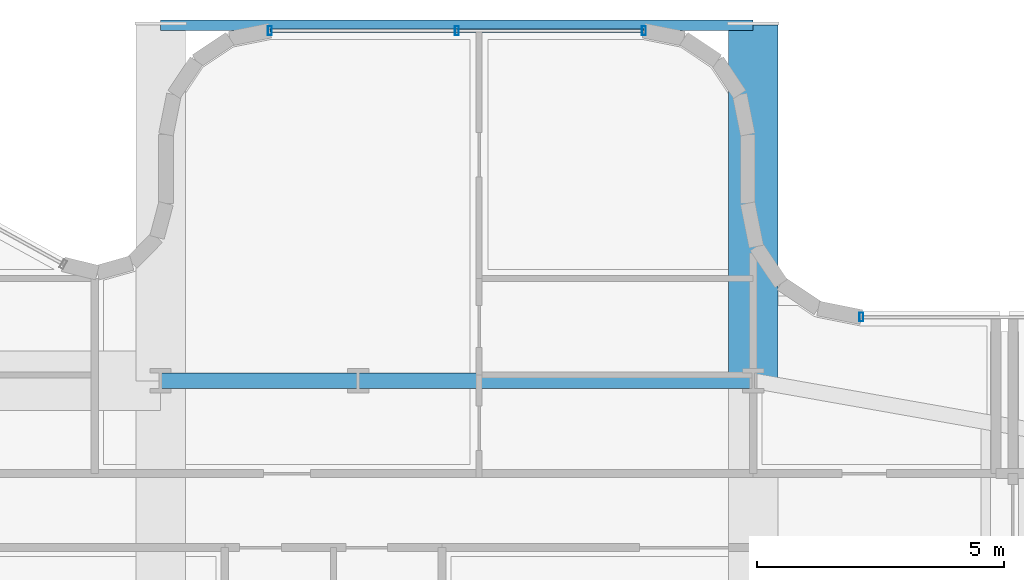
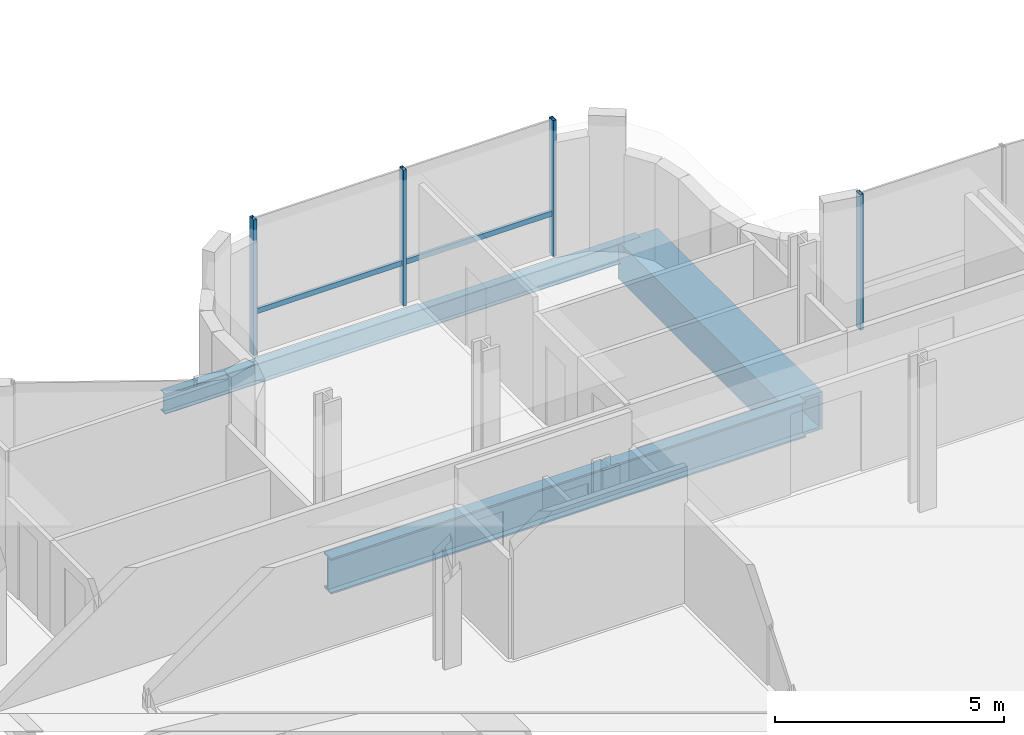
# One storey, part 21 of 38: 5 members, 3 beams, 2 elements without a shape of their own.
"""IFC4 building model written with IfcOpenShell, lengths in metres."""

from ifc_helpers import new_model, si_unit, direction, frame, origin, origin_2d, place, context, subcontext, project, spatial, hollow_rectangle, i_section, extrude, source, transform, mapped, material, material_profile, profile_set, type_object, element, aggregate, save


model = new_model("IFC4")

# Units and contexts
model_context = context("Model", 3, precision=1e-05, world=origin(), true_north=direction((0.0, 1.0)))
body_context = subcontext(model_context, "Body", "Model", "MODEL_VIEW")
ifc_project = project(units=[si_unit("LENGTHUNIT", "METRE"), si_unit("AREAUNIT", "SQUARE_METRE"), si_unit("VOLUMEUNIT", "CUBIC_METRE"), si_unit("PLANEANGLEUNIT", "RADIAN"), si_unit("MASSUNIT", "GRAM", prefix="KILO")], contexts=[model_context])

# Site, building, storey
site_placement = place(None, origin())
site = spatial("IfcSite", under=ifc_project, at=site_placement, CompositionType="ELEMENT")
building_placement = place(site_placement, origin())
building = spatial("IfcBuilding", under=site, at=building_placement, Name="Valdorenza Pilgrim Sanctuary Tower", CompositionType="ELEMENT")
storey_placement = place(building_placement, frame((0.0, 0.0, 180.5)))
storey = spatial("IfcBuildingStorey", under=building, at=storey_placement, Name="L46", CompositionType="ELEMENT", Elevation=180.5)

# Beams
ifc_material_1 = material(Name="Steel ASTM A572 Grade 42", Category="steel")
ifc_material_profile_1 = material_profile(ifc_material_1, hollow_rectangle(XDim=1.0, YDim=1.0, WallThickness=0.080078125, at=origin_2d()), Name="BOX 1000x1000x80")
ifc_profile_set_1 = profile_set([ifc_material_profile_1], Name="Steel ASTM A572 Grade 42")
beam_type_1 = type_object("IfcBeamType", Name="STR-BM-PROW-CANT", PredefinedType="BEAM", material=ifc_profile_set_1)
shared_shape_1 = source(origin(), body_context, "Body", "SweptSolid", [
    extrude(hollow_rectangle(XDim=1.0, YDim=1.0, WallThickness=0.080078125, at=origin_2d()), origin(), (0.0, 0.0, 1.0), 7.199951171875),
])
beam_1_placement = place(storey_placement, frame((8.5, 14.800048828125, -0.820068359375), z_axis=(0.0, 1.0, 0.0), x_axis=(-1.0, 0.0, 0.0)))
element("IfcBeam", 1, at=beam_1_placement, inside=storey, type_object=beam_type_1, Name="L46 North Sanctuary Prow Cantilever PROW-CANT-N-E", PredefinedType="BEAM", context=body_context, shape_type="MappedRepresentation", body=[
    mapped(shared_shape_1, transform((0.0, 0.0, 0.0), x_axis=(1.0, 0.0, 0.0), y_axis=(0.0, 1.0, 0.0), z_axis=(0.0, 0.0, 1.0), scale=1.0)),
])
ifc_material_2 = material(Name="Steel ASTM A992 Grade 50", Category="steel")
ifc_material_profile_2 = material_profile(ifc_material_2, i_section(OverallWidth=0.2109375, OverallDepth=0.5390625, WebThickness=0.01171875, FlangeThickness=0.018798828125, at=origin_2d()), Name="W21X73")
ifc_profile_set_2 = profile_set([ifc_material_profile_2], Name="Steel ASTM A992 Grade 50")
beam_type_2 = type_object("IfcBeamType", Name="STR-BM-SPN-W21B", PredefinedType="SPANDREL", material=ifc_profile_set_2)
shared_shape_2 = source(origin(), body_context, "Body", "SweptSolid", [
    extrude(i_section(OverallWidth=0.2109375, OverallDepth=0.5390625, WebThickness=0.01171875, FlangeThickness=0.018798828125, at=origin_2d()), origin(), (0.0, 0.0, 1.0), 12.0),
])
beam_2_placement = place(storey_placement, frame((-3.5, 22.0, -0.589599609375), z_axis=(1.0, 0.0, 0.0), x_axis=(0.0, 1.0, 0.0)))
element("IfcBeam", 2, at=beam_2_placement, inside=storey, type_object=beam_type_2, Name="L46 North Prow Tip Spandrel PROW-TIP-N", PredefinedType="SPANDREL", context=body_context, shape_type="MappedRepresentation", body=[
    mapped(shared_shape_2, transform((0.0, 0.0, 0.0), x_axis=(1.0, 0.0, 0.0), y_axis=(0.0, 1.0, 0.0), z_axis=(0.0, 0.0, 1.0), scale=1.0)),
])
ifc_material_profile_3 = material_profile(ifc_material_2, i_section(OverallWidth=0.31005859375, OverallDepth=0.949951171875, WebThickness=0.0244140625, FlangeThickness=0.0439453125, at=origin_2d()), Name="W36X256")
ifc_profile_set_3 = profile_set([ifc_material_profile_3], Name="Steel ASTM A992 Grade 50")
beam_type_3 = type_object("IfcBeamType", Name="STR-BM-GRD-W36B", PredefinedType="BEAM", material=ifc_profile_set_3)
shared_shape_3 = source(origin(), body_context, "Body", "SweptSolid", [
    extrude(i_section(OverallWidth=0.31005859375, OverallDepth=0.949951171875, WebThickness=0.0244140625, FlangeThickness=0.0439453125, at=origin_2d()), origin(), (0.0, 0.0, 1.0), 12.0),
])
beam_3_placement = place(storey_placement, frame((-3.5, 14.800048828125, -0.794921875), z_axis=(1.0, 0.0, 0.0), x_axis=(0.0, 1.0, 0.0)))
element("IfcBeam", 3, at=beam_3_placement, inside=storey, type_object=beam_type_3, Name="L46 Portal Bridge Span Girder PRY-G2-P14", PredefinedType="BEAM", context=body_context, shape_type="MappedRepresentation", body=[
    mapped(shared_shape_3, transform((0.0, 0.0, 0.0), x_axis=(1.0, 0.0, 0.0), y_axis=(0.0, 1.0, 0.0), z_axis=(0.0, 0.0, 1.0), scale=1.0)),
])

# Curtain wall, members
ifc_material_3 = material(Name="Curtain-wall IGU glazing", Category="glass")
curtain_wall_type = type_object("IfcCurtainWallType", Name="CW-SYS-05", PredefinedType="NOTDEFINED", material=ifc_material_3)
curtain_wall_1_placement = place(storey_placement, origin())
curtain_wall_1 = element("IfcCurtainWall", 4, at=curtain_wall_1_placement, inside=storey, type_object=curtain_wall_type, Name="L46 Curtain Wall CW-L46-1-21", PredefinedType="NOTDEFINED")
ifc_material_4 = material(Name="Anodised aluminium AW-6060", Category="aluminium")
ifc_material_profile_4 = material_profile(ifc_material_4, hollow_rectangle(XDim=0.070068359375, YDim=0.139892578125, WallThickness=0.00341796875, at=origin_2d()), Name="ALU-T 140x70x3.5")
ifc_profile_set_4 = profile_set([ifc_material_profile_4], Name="Anodised aluminium AW-6060")
member_type_1 = type_object("IfcMemberType", Name="CW-TRN-05", PredefinedType="USERDEFINED", material=ifc_profile_set_4)
shared_shape_4 = source(origin(), body_context, "Body", "SweptSolid", [
    extrude(hollow_rectangle(XDim=0.070068359375, YDim=0.139892578125, WallThickness=0.00341796875, at=origin_2d()), origin(), (0.0, 0.0, 1.0), 7.5703125),
])
member_1_placement = place(storey_placement, frame((-1.28515625, 21.889892578125, 1.1201171875), z_axis=(1.0, 0.0, 0.0), x_axis=(0.0, 1.0, 0.0)))
member_1 = element("IfcMember", 5, at=member_1_placement, type_object=member_type_1, Name="CW-L46-1-21 Transom 1", ObjectType="TRANSOM", PredefinedType="USERDEFINED", context=body_context, shape_type="MappedRepresentation", body=[
    mapped(shared_shape_4, transform((0.0, 0.0, 0.0), x_axis=(1.0, 0.0, 0.0), y_axis=(0.0, 1.0, 0.0), z_axis=(0.0, 0.0, 1.0), scale=1.0)),
])
ifc_material_profile_5 = material_profile(ifc_material_4, hollow_rectangle(XDim=0.080078125, YDim=0.179931640625, WallThickness=0.00439453125, at=origin_2d()), Name="ALU-M 180x80x4.5")
ifc_profile_set_5 = profile_set([ifc_material_profile_5], Name="Anodised aluminium AW-6060")
member_type_2 = type_object("IfcMemberType", Name="CW-MUL-05", PredefinedType="MULLION", material=ifc_profile_set_5)
shared_shape_5 = source(origin(), body_context, "Body", "SweptSolid", [
    extrude(hollow_rectangle(XDim=0.080078125, YDim=0.179931640625, WallThickness=0.00439453125, at=origin_2d()), origin(), (0.0, 0.0, 1.0), 3.6298828125),
])
member_2_placement = place(storey_placement, frame((-1.28515625, 21.889892578125, 0.0), z_axis=(0.0, 0.0, 1.0), x_axis=(1.0, 0.0, 0.0)))
member_2 = element("IfcMember", 6, at=member_2_placement, type_object=member_type_2, Name="CW-L46-1-21 Mullion 1", PredefinedType="MULLION", context=body_context, shape_type="MappedRepresentation", body=[
    mapped(shared_shape_5, transform((0.0, 0.0, 0.0), x_axis=(1.0, 0.0, 0.0), y_axis=(0.0, 1.0, 0.0), z_axis=(0.0, 0.0, 1.0), scale=1.0)),
])
member_3_placement = place(storey_placement, frame((2.5, 21.889892578125, 0.0), z_axis=(0.0, 0.0, 1.0), x_axis=(1.0, 0.0, 0.0)))
member_3 = element("IfcMember", 7, at=member_3_placement, type_object=member_type_2, Name="CW-L46-1-21 Mullion 2", PredefinedType="MULLION", context=body_context, shape_type="MappedRepresentation", body=[
    mapped(shared_shape_5, transform((0.0, 0.0, 0.0), x_axis=(1.0, 0.0, 0.0), y_axis=(0.0, 1.0, 0.0), z_axis=(0.0, 0.0, 1.0), scale=1.0)),
])
member_4_placement = place(storey_placement, frame((6.28515625, 21.889892578125, 0.0), z_axis=(0.0, 0.0, 1.0), x_axis=(1.0, 0.0, 0.0)))
member_4 = element("IfcMember", 8, at=member_4_placement, type_object=member_type_2, Name="CW-L46-1-21 Mullion 3", PredefinedType="MULLION", context=body_context, shape_type="MappedRepresentation", body=[
    mapped(shared_shape_5, transform((0.0, 0.0, 0.0), x_axis=(1.0, 0.0, 0.0), y_axis=(0.0, 1.0, 0.0), z_axis=(0.0, 0.0, 1.0), scale=1.0)),
])
aggregate(curtain_wall_1, [member_2, member_3, member_4, member_1])

# Curtain wall, member
curtain_wall_2_placement = place(storey_placement, origin())
curtain_wall_2 = element("IfcCurtainWall", 9, at=curtain_wall_2_placement, inside=storey, type_object=curtain_wall_type, Name="L46 Curtain Wall CW-L46-1-31", PredefinedType="NOTDEFINED")
member_5_placement = place(storey_placement, frame((10.693115234375, 16.090087890625, 0.0), z_axis=(0.0, 0.0, 1.0), x_axis=(1.0, 0.0, 0.0)))
member_5 = element("IfcMember", 10, at=member_5_placement, type_object=member_type_2, Name="CW-L46-1-31 Mullion 1", PredefinedType="MULLION", context=body_context, shape_type="MappedRepresentation", body=[
    mapped(shared_shape_5, transform((0.0, 0.0, 0.0), x_axis=(1.0, 0.0, 0.0), y_axis=(0.0, 1.0, 0.0), z_axis=(0.0, 0.0, 1.0), scale=1.0)),
])
aggregate(curtain_wall_2, [member_5])

save(model, "model.ifc")
